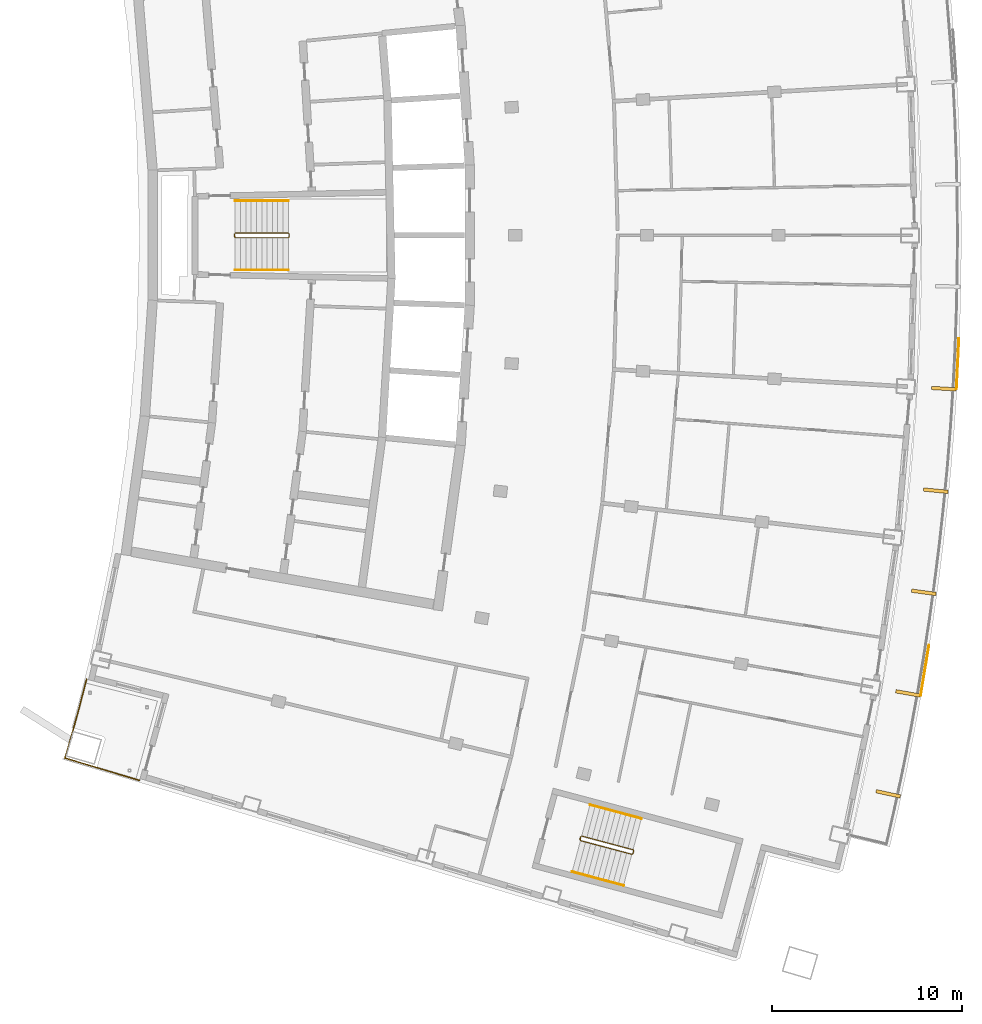
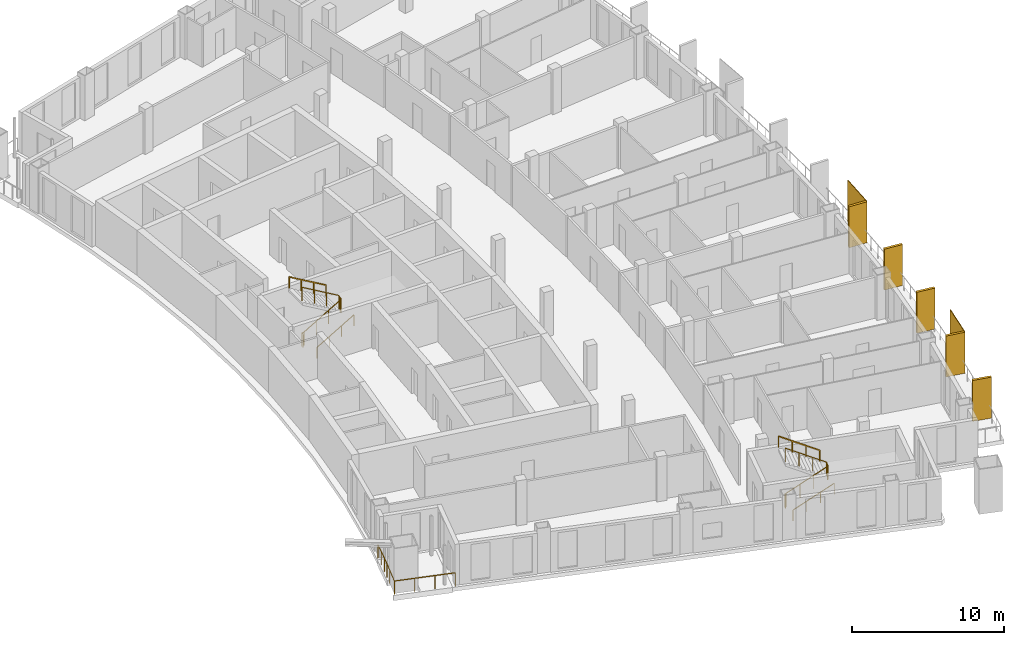
# One storey, part 15 of 17: 7 railings, 7 shading devices.
"""IFC4 building model written with IfcOpenShell, lengths in metres."""

from ifc_helpers import new_model, si_unit, direction, frame, origin, origin_with_axes, origin_2d, place, context, subcontext, project, spatial, rectangle, extrude, material, layer, layer_set, type_object, element, save


model = new_model("IFC4")

# Units and contexts
model_context = context("Model", 3, precision=1e-05, world=origin(), true_north=direction((0.0, 1.0)))
body_context = subcontext(model_context, "Body", "Model", "MODEL_VIEW")
ifc_project = project(units=[si_unit("LENGTHUNIT", "METRE"), si_unit("AREAUNIT", "SQUARE_METRE"), si_unit("VOLUMEUNIT", "CUBIC_METRE"), si_unit("PLANEANGLEUNIT", "RADIAN"), si_unit("MASSUNIT", "GRAM", prefix="KILO")], contexts=[model_context])

# Site, building, storey
site_placement = place(None, origin())
site = spatial("IfcSite", under=ifc_project, at=site_placement, CompositionType="ELEMENT")
building_placement = place(site_placement, origin())
building = spatial("IfcBuilding", under=site, at=building_placement, Name="Alderwake Tower", CompositionType="ELEMENT")
storey_placement = place(building_placement, frame((0.0, 0.0, 260.0)))
storey = spatial("IfcBuildingStorey", under=building, at=storey_placement, Name="L64", CompositionType="ELEMENT", Elevation=260.0)

# Railing
ifc_material_1 = material(Name="Stainless steel 316 rail and posts", Category="steel")
railing_type_1 = type_object("IfcRailingType", Name="Balcony guard 1100", PredefinedType="GUARDRAIL", material=ifc_material_1)
railing_1_placement = place(storey_placement, frame((13.210693359375, 37.612548828125, 0.0)))
element("IfcRailing", 1, at=railing_1_placement, inside=storey, type_object=railing_type_1, Name="Guard terrace RS", PredefinedType="GUARDRAIL", context=body_context, shape_type="SweptSolid", body=[
    extrude(rectangle(XDim=0.048095703125, YDim=0.048095703125, at=origin_2d()), frame((0.0, 0.0, 1.076171875), z_axis=(-0.251385381433, -0.967887075026, 0.0), x_axis=(0.967887075026, -0.251385381433, 0.0)), (0.0, 0.0, 1.0), 1.6015625),
    extrude(rectangle(XDim=0.048095703125, YDim=0.048095703125, at=origin_2d()), frame((-0.402587890625, -1.550048828125, 1.076171875), z_axis=(-0.266520638672, -0.963829211615, 0.0), x_axis=(0.963829211615, -0.266520638672, 0.0)), (0.0, 0.0, 1.0), 1.401611328125),
    extrude(rectangle(XDim=0.048095703125, YDim=0.048095703125, at=origin_2d()), frame((-0.776123046875, -2.90087890625, 1.076171875), z_axis=(-0.280093650878, -0.959972680204, 0.0), x_axis=(0.959972680204, -0.280093650878, 0.0)), (0.0, 0.0, 1.0), 1.30126953125),
    extrude(rectangle(XDim=0.048095703125, YDim=0.048095703125, at=origin_2d()), frame((-1.140625, -4.150146484375, 1.076171875), z_axis=(0.958066871889, -0.286544706789, 0.0), x_axis=(0.286544706789, 0.958066871889, 0.0)), (0.0, 0.0, 1.0), 4.099853515625),
    extrude(rectangle(XDim=0.0419921875, YDim=0.0419921875, at=origin_2d()), frame((0.0, 0.0, 0.0), z_axis=(0.0, 0.0, 1.0), x_axis=(-0.251385381433, -0.967887075026, 0.0)), (0.0, 0.0, 1.0), 1.052001953125),
    extrude(rectangle(XDim=0.0419921875, YDim=0.0419921875, at=origin_2d()), frame((-0.201171875, -0.77490234375, 0.0), z_axis=(0.0, 0.0, 1.0), x_axis=(-0.251385381433, -0.967887075026, 0.0)), (0.0, 0.0, 1.0), 1.052001953125),
    extrude(rectangle(XDim=0.0419921875, YDim=0.0419921875, at=origin_2d()), frame((-0.402587890625, -1.550048828125, 0.0), z_axis=(0.0, 0.0, 1.0), x_axis=(-0.266520638672, -0.963829211615, 0.0)), (0.0, 0.0, 1.0), 1.052001953125),
    extrude(rectangle(XDim=0.0419921875, YDim=0.0419921875, at=origin_2d()), frame((-0.58935546875, -2.2255859375, 0.0), z_axis=(0.0, 0.0, 1.0), x_axis=(-0.266520638672, -0.963829211615, 0.0)), (0.0, 0.0, 1.0), 1.052001953125),
    extrude(rectangle(XDim=0.0419921875, YDim=0.0419921875, at=origin_2d()), frame((-0.776123046875, -2.90087890625, 0.0), z_axis=(0.0, 0.0, 1.0), x_axis=(-0.280093650878, -0.959972680204, 0.0)), (0.0, 0.0, 1.0), 1.052001953125),
    extrude(rectangle(XDim=0.0419921875, YDim=0.0419921875, at=origin_2d()), frame((-1.140625, -4.150146484375, 0.0), z_axis=(0.0, 0.0, 1.0), x_axis=(0.958066871889, -0.286544706789, 0.0)), (0.0, 0.0, 1.0), 1.052001953125),
    extrude(rectangle(XDim=0.0419921875, YDim=0.0419921875, at=origin_2d()), frame((0.168701171875, -4.541748046875, 0.0), z_axis=(0.0, 0.0, 1.0), x_axis=(0.958066871889, -0.286544706789, 0.0)), (0.0, 0.0, 1.0), 1.052001953125),
    extrude(rectangle(XDim=0.0419921875, YDim=0.0419921875, at=origin_2d()), frame((1.47802734375, -4.933349609375, 0.0), z_axis=(0.0, 0.0, 1.0), x_axis=(0.958066871889, -0.286544706789, 0.0)), (0.0, 0.0, 1.0), 1.052001953125),
    extrude(rectangle(XDim=0.0419921875, YDim=0.0419921875, at=origin_2d()), frame((2.787353515625, -5.324951171875, 0.0), z_axis=(0.0, 0.0, 1.0), x_axis=(0.958066871889, -0.286544706789, 0.0)), (0.0, 0.0, 1.0), 1.052001953125),
])

# Shading devices
ifc_material_2 = material(Name="Bronze anodised aluminium", Category="aluminium")
ifc_layer_1 = layer(ifc_material_2, 0.179931640625)
ifc_layer_set_1 = layer_set([ifc_layer_1], Name="Facade fin 1300")
shading_device_type_1 = type_object("IfcShadingDeviceType", Name="Facade fin 1300", PredefinedType="USERDEFINED", material=ifc_layer_set_1)
for number, where, z_axis, x_axis, name in (
    (2, (55.44140625, 31.5791015625, 0.0), (0.0, 0.0, 1.0), (0.977210363881, -0.212273184185, 0.0), "Fin"),
    (3, (56.483154296875, 36.86865234375, 0.0), (0.0, 0.0, 1.0), (0.984726421654, -0.174108800747, 0.0), "Fin"),
    (4, (57.318359375, 42.194580078125, 0.0), (0.0, 0.0, 1.0), (0.990752577235, -0.135680988728, 0.0), "Fin"),
    (5, (57.94580078125, 47.54931640625, 0.0), (0.0, 0.0, 1.0), (0.995279882363, -0.097046152751, 0.0), "Fin"),
    (6, (58.364501953125, 52.92431640625, 0.0), (0.0, 0.0, 1.0), (0.998301080988, -0.058266214038, 0.0), "Fin"),
):
    element("IfcShadingDevice", number, at=place(storey_placement, frame(where, z_axis=z_axis, x_axis=x_axis)), inside=storey, type_object=shading_device_type_1, Name=name, ObjectType="FIN", PredefinedType="USERDEFINED", context=body_context, shape_type="SweptSolid", body=[
        extrude(rectangle(XDim=1.300048828125, YDim=0.179931640625, at=origin_2d()), origin(), (0.0, 0.0, 1.0), 3.280029296875),
    ])
ifc_material_3 = material(Name="Perforated bronze anodised aluminium", Category="aluminium")
ifc_layer_2 = layer(ifc_material_3, 0.050048828125)
ifc_layer_set_2 = layer_set([ifc_layer_2], Name="Perforated screen panel")
shading_device_type_2 = type_object("IfcShadingDeviceType", Name="Perforated screen panel", PredefinedType="USERDEFINED", material=ifc_layer_set_2)
for number, where, z_axis, x_axis, name in (
    (7, (57.3701171875, 38.08349609375, 0.0), (0.0, 0.0, 1.0), (0.986369013299, -0.164548380739, 0.0), "Screen panel"),
    (8, (59.10400390625, 54.234130859375, 0.0), (0.0, 0.0, 1.0), (0.998819231138, -0.048581308217, 0.0), "Screen panel"),
):
    element("IfcShadingDevice", number, at=place(storey_placement, frame(where, z_axis=z_axis, x_axis=x_axis)), inside=storey, type_object=shading_device_type_2, Name=name, ObjectType="SCREEN", PredefinedType="USERDEFINED", context=body_context, shape_type="SweptSolid", body=[
        extrude(rectangle(XDim=0.050048828125, YDim=2.701904296875, at=origin_2d()), origin(), (0.0, 0.0, 1.0), 3.280029296875),
    ])

# Railings
ifc_material_4 = material(Name="Stainless steel guard", Category="steel")
railing_type_2 = type_object("IfcRailingType", Name="Stair guard 1100", PredefinedType="GUARDRAIL", material=ifc_material_4)
railing_2_placement = place(storey_placement, frame((20.989990234375, 60.925048828125, 0.0)))
element("IfcRailing", 9, at=railing_2_placement, inside=storey, type_object=railing_type_2, Name="L64 ST-B stair guard 1", PredefinedType="GUARDRAIL", context=body_context, shape_type="SweptSolid", body=[
    extrude(rectangle(XDim=0.048095703125, YDim=0.048095703125, at=origin_2d()), frame((0.0, 0.0, 1.076171875), z_axis=(0.0, 1.0, 0.0), x_axis=(-1.0, 0.0, 0.0)), (0.0, 0.0, 1.0), 0.14990234375),
    extrude(rectangle(XDim=0.048095703125, YDim=0.048095703125, at=origin_2d()), frame((0.0, 0.14990234375, 1.076171875), z_axis=(0.190199549216, -0.759870394187, 0.621627795), x_axis=(0.970072785993, 0.242814311512, 0.0)), (0.0, 0.0, 1.0), 0.26318359375),
    extrude(rectangle(XDim=0.048095703125, YDim=0.048095703125, at=origin_2d()), frame((0.050048828125, -0.050048828125, 1.23974609375), z_axis=(0.863360870873, 0.0, 0.504586966384), x_axis=(0.0, 1.0, 0.0)), (0.0, 0.0, 1.0), 3.2431640625),
    extrude(rectangle(XDim=0.048095703125, YDim=0.048095703125, at=origin_2d()), frame((2.85009765625, -0.050048828125, 2.8759765625), z_axis=(0.705375805398, 0.708833529934, 0.0), x_axis=(-0.708833529934, 0.705375805398, 0.0)), (0.0, 0.0, 1.0), 0.070556640625),
    extrude(rectangle(XDim=0.048095703125, YDim=0.048095703125, at=origin_2d()), frame((2.89990234375, 0.0, 2.8759765625), z_axis=(0.0, 1.0, 0.0), x_axis=(-1.0, 0.0, 0.0)), (0.0, 0.0, 1.0), 0.14990234375),
    extrude(rectangle(XDim=0.048095703125, YDim=0.048095703125, at=origin_2d()), frame((2.89990234375, 0.14990234375, 2.8759765625), z_axis=(-0.279546231943, 0.280916556609, 0.91811752648), x_axis=(-0.708833529934, -0.705375805398, 0.0)), (0.0, 0.0, 1.0), 0.17822265625),
    extrude(rectangle(XDim=0.048095703125, YDim=0.048095703125, at=origin_2d()), frame((2.85009765625, 0.199951171875, 3.03955078125), z_axis=(-0.863360870873, 0.0, 0.504586966384), x_axis=(0.0, -1.0, 0.0)), (0.0, 0.0, 1.0), 3.2431640625),
    extrude(rectangle(XDim=0.0419921875, YDim=0.0419921875, at=origin_2d()), frame((0.0, 0.0, 0.0), z_axis=(0.0, 0.0, 1.0), x_axis=(0.0, 1.0, 0.0)), (0.0, 0.0, 1.0), 1.052001953125),
    extrude(rectangle(XDim=0.0419921875, YDim=0.0419921875, at=origin_2d()), frame((0.0, 0.14990234375, 0.0), z_axis=(0.0, 0.0, 1.0), x_axis=(0.242814311512, -0.970072785993, 0.0)), (0.0, 0.0, 1.0), 1.052001953125),
    extrude(rectangle(XDim=0.0419921875, YDim=0.0419921875, at=origin_2d()), frame((0.050048828125, -0.050048828125, 0.16357421875), z_axis=(0.0, 0.0, 1.0), x_axis=(1.0, 0.0, 0.0)), (0.0, 0.0, 1.0), 1.052001953125),
    extrude(rectangle(XDim=0.0419921875, YDim=0.0419921875, at=origin_2d()), frame((0.9833984375, -0.050048828125, 0.708984375), z_axis=(0.0, 0.0, 1.0), x_axis=(1.0, 0.0, 0.0)), (0.0, 0.0, 1.0), 1.052001953125),
    extrude(rectangle(XDim=0.0419921875, YDim=0.0419921875, at=origin_2d()), frame((1.916748046875, -0.050048828125, 1.254638671875), z_axis=(0.0, 0.0, 1.0), x_axis=(1.0, 0.0, 0.0)), (0.0, 0.0, 1.0), 1.052001953125),
    extrude(rectangle(XDim=0.0419921875, YDim=0.0419921875, at=origin_2d()), frame((2.85009765625, -0.050048828125, 1.800048828125), z_axis=(0.0, 0.0, 1.0), x_axis=(0.705375805398, 0.708833529934, 0.0)), (0.0, 0.0, 1.0), 1.052001953125),
    extrude(rectangle(XDim=0.0419921875, YDim=0.0419921875, at=origin_2d()), frame((2.89990234375, 0.0, 1.800048828125), z_axis=(0.0, 0.0, 1.0), x_axis=(0.0, 1.0, 0.0)), (0.0, 0.0, 1.0), 1.052001953125),
    extrude(rectangle(XDim=0.0419921875, YDim=0.0419921875, at=origin_2d()), frame((2.89990234375, 0.14990234375, 1.800048828125), z_axis=(0.0, 0.0, 1.0), x_axis=(-0.705375805398, 0.708833529934, 0.0)), (0.0, 0.0, 1.0), 1.052001953125),
    extrude(rectangle(XDim=0.0419921875, YDim=0.0419921875, at=origin_2d()), frame((2.85009765625, 0.199951171875, 1.963623046875), z_axis=(0.0, 0.0, 1.0), x_axis=(-1.0, 0.0, 0.0)), (0.0, 0.0, 1.0), 1.052001953125),
    extrude(rectangle(XDim=0.0419921875, YDim=0.0419921875, at=origin_2d()), frame((1.916748046875, 0.199951171875, 2.509033203125), z_axis=(0.0, 0.0, 1.0), x_axis=(-1.0, 0.0, 0.0)), (0.0, 0.0, 1.0), 1.052001953125),
    extrude(rectangle(XDim=0.0419921875, YDim=0.0419921875, at=origin_2d()), frame((0.9833984375, 0.199951171875, 3.0546875), z_axis=(0.0, 0.0, 1.0), x_axis=(-1.0, 0.0, 0.0)), (0.0, 0.0, 1.0), 1.052001953125),
    extrude(rectangle(XDim=0.0419921875, YDim=0.0419921875, at=origin_2d()), frame((0.050048828125, 0.199951171875, 3.60009765625), z_axis=(0.0, 0.0, 1.0), x_axis=(-1.0, 0.0, 0.0)), (0.0, 0.0, 1.0), 1.052001953125),
])
railing_3_placement = place(storey_placement, frame((39.1943359375, 29.17431640625, 0.0)))
element("IfcRailing", 10, at=railing_3_placement, inside=storey, type_object=railing_type_2, Name="L64 ST-C stair guard 1", PredefinedType="GUARDRAIL", context=body_context, shape_type="SweptSolid", body=[
    extrude(rectangle(XDim=0.048095703125, YDim=0.048095703125, at=origin_2d()), frame((0.0, 0.0, 1.076171875), z_axis=(0.257459803502, 0.966289009345, 0.0), x_axis=(-0.966289009345, 0.257459803502, 0.0)), (0.0, 0.0, 1.0), 0.14990234375),
    extrude(rectangle(XDim=0.048095703125, YDim=0.048095703125, at=origin_2d()), frame((0.03857421875, 0.144775390625, 1.076171875), z_axis=(-0.012062893862, -0.783160186125, 0.621702991355), x_axis=(0.999881397308, -0.015401016783, 0.0)), (0.0, 0.0, 1.0), 0.26318359375),
    extrude(rectangle(XDim=0.048095703125, YDim=0.048095703125, at=origin_2d()), frame((0.035400390625, -0.061279296875, 1.23974609375), z_axis=(0.834281824786, -0.222214197128, 0.504573768072), x_axis=(0.257380452725, 0.966310148221, 0.0)), (0.0, 0.0, 1.0), 3.2431640625),
    extrude(rectangle(XDim=0.048095703125, YDim=0.048095703125, at=origin_2d()), frame((2.7412109375, -0.781982421875, 2.8759765625), z_axis=(0.865031189262, 0.501718089772, 0.0), x_axis=(-0.501718089772, 0.865031189262, 0.0)), (0.0, 0.0, 1.0), 0.070556640625),
    extrude(rectangle(XDim=0.048095703125, YDim=0.048095703125, at=origin_2d()), frame((2.80224609375, -0.74658203125, 2.8759765625), z_axis=(0.257055032184, 0.966396766566, 0.0), x_axis=(-0.966396766566, 0.257055032184, 0.0)), (0.0, 0.0, 1.0), 0.150146484375),
    extrude(rectangle(XDim=0.048095703125, YDim=0.048095703125, at=origin_2d()), frame((2.8408203125, -0.6015625, 2.8759765625), z_axis=(-0.198625291617, 0.343827228937, 0.91778583023), x_axis=(-0.865898279276, -0.500220121494, 0.0)), (0.0, 0.0, 1.0), 0.17822265625),
    extrude(rectangle(XDim=0.048095703125, YDim=0.048095703125, at=origin_2d()), frame((2.805419921875, -0.540283203125, 3.03955078125), z_axis=(-0.834258940753, 0.22222815314, 0.504605457487), x_axis=(-0.257402139082, -0.966304371715, 0.0)), (0.0, 0.0, 1.0), 3.2431640625),
    extrude(rectangle(XDim=0.0419921875, YDim=0.0419921875, at=origin_2d()), frame((0.0, 0.0, 0.0), z_axis=(0.0, 0.0, 1.0), x_axis=(0.257459803502, 0.966289009345, 0.0)), (0.0, 0.0, 1.0), 1.052001953125),
    extrude(rectangle(XDim=0.0419921875, YDim=0.0419921875, at=origin_2d()), frame((0.03857421875, 0.144775390625, 0.0), z_axis=(0.0, 0.0, 1.0), x_axis=(-0.015401016783, -0.999881397308, 0.0)), (0.0, 0.0, 1.0), 1.052001953125),
    extrude(rectangle(XDim=0.0419921875, YDim=0.0419921875, at=origin_2d()), frame((0.035400390625, -0.061279296875, 0.16357421875), z_axis=(0.0, 0.0, 1.0), x_axis=(0.966310148221, -0.257380452725, 0.0)), (0.0, 0.0, 1.0), 1.052001953125),
    extrude(rectangle(XDim=0.0419921875, YDim=0.0419921875, at=origin_2d()), frame((0.937255859375, -0.301513671875, 0.708984375), z_axis=(0.0, 0.0, 1.0), x_axis=(0.966310148221, -0.257380452725, 0.0)), (0.0, 0.0, 1.0), 1.052001953125),
    extrude(rectangle(XDim=0.0419921875, YDim=0.0419921875, at=origin_2d()), frame((1.83935546875, -0.541748046875, 1.254638671875), z_axis=(0.0, 0.0, 1.0), x_axis=(0.966310148221, -0.257380452725, 0.0)), (0.0, 0.0, 1.0), 1.052001953125),
    extrude(rectangle(XDim=0.0419921875, YDim=0.0419921875, at=origin_2d()), frame((2.7412109375, -0.781982421875, 1.800048828125), z_axis=(0.0, 0.0, 1.0), x_axis=(0.865031189262, 0.501718089772, 0.0)), (0.0, 0.0, 1.0), 1.052001953125),
    extrude(rectangle(XDim=0.0419921875, YDim=0.0419921875, at=origin_2d()), frame((2.80224609375, -0.74658203125, 1.800048828125), z_axis=(0.0, 0.0, 1.0), x_axis=(0.257055032184, 0.966396766566, 0.0)), (0.0, 0.0, 1.0), 1.052001953125),
    extrude(rectangle(XDim=0.0419921875, YDim=0.0419921875, at=origin_2d()), frame((2.8408203125, -0.6015625, 1.800048828125), z_axis=(0.0, 0.0, 1.0), x_axis=(-0.500220121494, 0.865898279276, 0.0)), (0.0, 0.0, 1.0), 1.052001953125),
    extrude(rectangle(XDim=0.0419921875, YDim=0.0419921875, at=origin_2d()), frame((2.805419921875, -0.540283203125, 1.963623046875), z_axis=(0.0, 0.0, 1.0), x_axis=(-0.966304371715, 0.257402139082, 0.0)), (0.0, 0.0, 1.0), 1.052001953125),
    extrude(rectangle(XDim=0.0419921875, YDim=0.0419921875, at=origin_2d()), frame((1.903564453125, -0.300048828125, 2.509033203125), z_axis=(0.0, 0.0, 1.0), x_axis=(-0.966304371715, 0.257402139082, 0.0)), (0.0, 0.0, 1.0), 1.052001953125),
    extrude(rectangle(XDim=0.0419921875, YDim=0.0419921875, at=origin_2d()), frame((1.001708984375, -0.059814453125, 3.0546875), z_axis=(0.0, 0.0, 1.0), x_axis=(-0.966304371715, 0.257402139082, 0.0)), (0.0, 0.0, 1.0), 1.052001953125),
    extrude(rectangle(XDim=0.0419921875, YDim=0.0419921875, at=origin_2d()), frame((0.099853515625, 0.180419921875, 3.60009765625), z_axis=(0.0, 0.0, 1.0), x_axis=(-0.966304371715, 0.257402139082, 0.0)), (0.0, 0.0, 1.0), 1.052001953125),
])
ifc_material_5 = material(Name="Stainless steel handrail", Category="steel")
railing_type_3 = type_object("IfcRailingType", Name="Stair handrail 900", PredefinedType="HANDRAIL", material=ifc_material_5)
railing_4_placement = place(storey_placement, frame((21.0400390625, 59.175048828125, 0.16357421875)))
element("IfcRailing", 11, at=railing_4_placement, inside=storey, type_object=railing_type_3, Name="L64 ST-B stair handrail 1", PredefinedType="HANDRAIL", context=body_context, shape_type="SweptSolid", body=[
    extrude(rectangle(XDim=0.048095703125, YDim=0.048095703125, at=origin_2d()), frame((0.0, 0.0, 0.8759765625), z_axis=(0.863360870873, 0.0, 0.504586966384), x_axis=(0.0, 1.0, 0.0)), (0.0, 0.0, 1.0), 3.2431640625),
    extrude(rectangle(XDim=0.0419921875, YDim=0.0419921875, at=origin_2d()), origin_with_axes(), (0.0, 0.0, 1.0), 0.851806640625),
    extrude(rectangle(XDim=0.0419921875, YDim=0.0419921875, at=origin_2d()), frame((0.933349609375, 0.0, 0.54541015625), z_axis=(0.0, 0.0, 1.0), x_axis=(1.0, 0.0, 0.0)), (0.0, 0.0, 1.0), 0.851806640625),
    extrude(rectangle(XDim=0.0419921875, YDim=0.0419921875, at=origin_2d()), frame((1.86669921875, 0.0, 1.091064453125), z_axis=(0.0, 0.0, 1.0), x_axis=(1.0, 0.0, 0.0)), (0.0, 0.0, 1.0), 0.851806640625),
    extrude(rectangle(XDim=0.0419921875, YDim=0.0419921875, at=origin_2d()), frame((2.800048828125, 0.0, 1.636474609375), z_axis=(0.0, 0.0, 1.0), x_axis=(1.0, 0.0, 0.0)), (0.0, 0.0, 1.0), 0.851806640625),
])
railing_5_placement = place(storey_placement, frame((23.840087890625, 62.824951171875, 1.963623046875)))
element("IfcRailing", 12, at=railing_5_placement, inside=storey, type_object=railing_type_3, Name="L64 ST-B stair handrail 2", PredefinedType="HANDRAIL", context=body_context, shape_type="SweptSolid", body=[
    extrude(rectangle(XDim=0.048095703125, YDim=0.048095703125, at=origin_2d()), frame((0.0, 0.0, 0.8759765625), z_axis=(-0.863360870873, 0.0, 0.504586966384), x_axis=(0.0, -1.0, 0.0)), (0.0, 0.0, 1.0), 3.2431640625),
    extrude(rectangle(XDim=0.0419921875, YDim=0.0419921875, at=origin_2d()), frame((0.0, 0.0, 0.0), z_axis=(0.0, 0.0, 1.0), x_axis=(-1.0, 0.0, 0.0)), (0.0, 0.0, 1.0), 0.851806640625),
    extrude(rectangle(XDim=0.0419921875, YDim=0.0419921875, at=origin_2d()), frame((-0.933349609375, 0.0, 0.54541015625), z_axis=(0.0, 0.0, 1.0), x_axis=(-1.0, 0.0, 0.0)), (0.0, 0.0, 1.0), 0.851806640625),
    extrude(rectangle(XDim=0.0419921875, YDim=0.0419921875, at=origin_2d()), frame((-1.86669921875, 0.0, 1.091064453125), z_axis=(0.0, 0.0, 1.0), x_axis=(-1.0, 0.0, 0.0)), (0.0, 0.0, 1.0), 0.851806640625),
    extrude(rectangle(XDim=0.0419921875, YDim=0.0419921875, at=origin_2d()), frame((-2.800048828125, 0.0, 1.636474609375), z_axis=(0.0, 0.0, 1.0), x_axis=(-1.0, 0.0, 0.0)), (0.0, 0.0, 1.0), 0.851806640625),
])
railing_6_placement = place(storey_placement, frame((38.792236328125, 27.47021484375, 0.16357421875)))
element("IfcRailing", 13, at=railing_6_placement, inside=storey, type_object=railing_type_3, Name="L64 ST-C stair handrail 1", PredefinedType="HANDRAIL", context=body_context, shape_type="SweptSolid", body=[
    extrude(rectangle(XDim=0.048095703125, YDim=0.048095703125, at=origin_2d()), frame((0.0, 0.0, 0.8759765625), z_axis=(0.834272895437, -0.222156588561, 0.504613898043), x_axis=(0.25732071773, 0.966326056891, 0.0)), (0.0, 0.0, 1.0), 3.242919921875),
    extrude(rectangle(XDim=0.0419921875, YDim=0.0419921875, at=origin_2d()), frame((0.0, 0.0, 0.0), z_axis=(0.0, 0.0, 1.0), x_axis=(0.966326056891, -0.25732071773, 0.0)), (0.0, 0.0, 1.0), 0.851806640625),
    extrude(rectangle(XDim=0.0419921875, YDim=0.0419921875, at=origin_2d()), frame((0.90185546875, -0.240234375, 0.54541015625), z_axis=(0.0, 0.0, 1.0), x_axis=(0.966326056891, -0.25732071773, 0.0)), (0.0, 0.0, 1.0), 0.851806640625),
    extrude(rectangle(XDim=0.0419921875, YDim=0.0419921875, at=origin_2d()), frame((1.8037109375, -0.480224609375, 1.091064453125), z_axis=(0.0, 0.0, 1.0), x_axis=(0.966326056891, -0.25732071773, 0.0)), (0.0, 0.0, 1.0), 0.851806640625),
    extrude(rectangle(XDim=0.0419921875, YDim=0.0419921875, at=origin_2d()), frame((2.70556640625, -0.720458984375, 1.636474609375), z_axis=(0.0, 0.0, 1.0), x_axis=(0.966326056891, -0.25732071773, 0.0)), (0.0, 0.0, 1.0), 0.851806640625),
])
railing_7_placement = place(storey_placement, frame((42.437255859375, 30.276611328125, 1.963623046875)))
element("IfcRailing", 14, at=railing_7_placement, inside=storey, type_object=railing_type_3, Name="L64 ST-C stair handrail 2", PredefinedType="HANDRAIL", context=body_context, shape_type="SweptSolid", body=[
    extrude(rectangle(XDim=0.048095703125, YDim=0.048095703125, at=origin_2d()), frame((0.0, 0.0, 0.8759765625), z_axis=(-0.834258940753, 0.22222815314, 0.504605457487), x_axis=(-0.257402139082, -0.966304371715, 0.0)), (0.0, 0.0, 1.0), 3.2431640625),
    extrude(rectangle(XDim=0.0419921875, YDim=0.0419921875, at=origin_2d()), frame((0.0, 0.0, 0.0), z_axis=(0.0, 0.0, 1.0), x_axis=(-0.966304371715, 0.257402139082, 0.0)), (0.0, 0.0, 1.0), 0.851806640625),
    extrude(rectangle(XDim=0.0419921875, YDim=0.0419921875, at=origin_2d()), frame((-0.90185546875, 0.240234375, 0.54541015625), z_axis=(0.0, 0.0, 1.0), x_axis=(-0.966304371715, 0.257402139082, 0.0)), (0.0, 0.0, 1.0), 0.851806640625),
    extrude(rectangle(XDim=0.0419921875, YDim=0.0419921875, at=origin_2d()), frame((-1.8037109375, 0.48046875, 1.091064453125), z_axis=(0.0, 0.0, 1.0), x_axis=(-0.966304371715, 0.257402139082, 0.0)), (0.0, 0.0, 1.0), 0.851806640625),
    extrude(rectangle(XDim=0.0419921875, YDim=0.0419921875, at=origin_2d()), frame((-2.70556640625, 0.720703125, 1.636474609375), z_axis=(0.0, 0.0, 1.0), x_axis=(-0.966304371715, 0.257402139082, 0.0)), (0.0, 0.0, 1.0), 0.851806640625),
])

save(model, "model.ifc")
